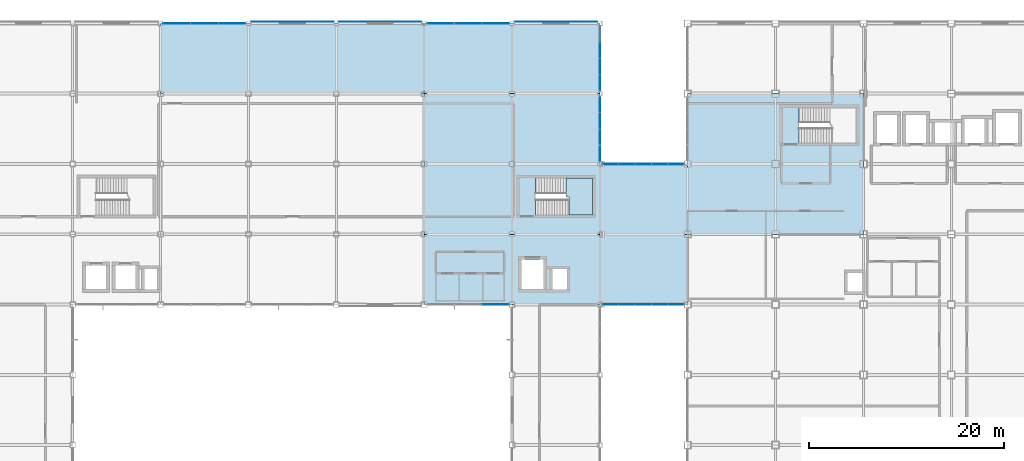
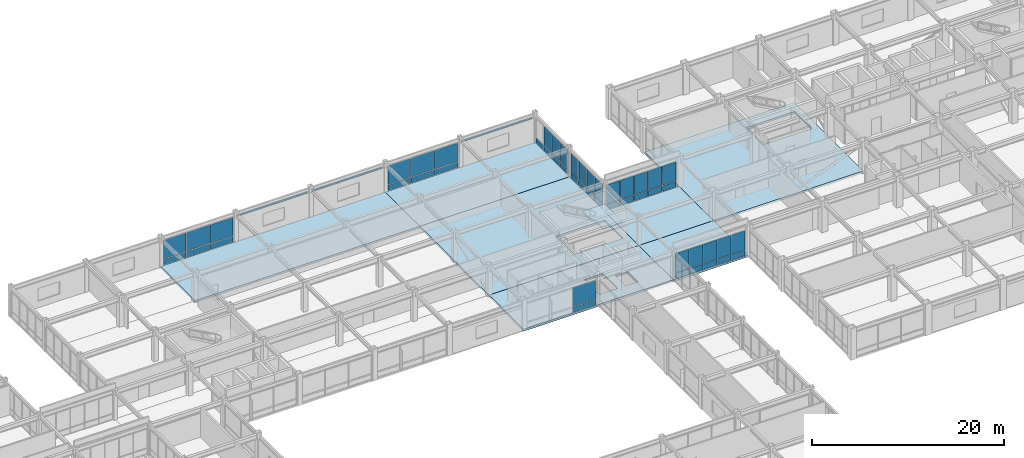
# One storey, part 96 of 122: 52 plates, 8 slabs, 8 elements without a shape of their own.
"""IFC4 building model written with IfcOpenShell, lengths in metres."""

from ifc_helpers import new_model, si_unit, direction, frame, origin, origin_2d, place, context, subcontext, project, spatial, polyline, rectangle, outline, extrude, material, layer, layer_set, type_object, element, aggregate, save


model = new_model("IFC4")

# Units and contexts
model_context = context("Model", 3, precision=1e-05, world=origin(), true_north=direction((0.0, 1.0)))
body_context = subcontext(model_context, "Body", "Model", "MODEL_VIEW")
ifc_project = project(units=[si_unit("LENGTHUNIT", "METRE"), si_unit("AREAUNIT", "SQUARE_METRE"), si_unit("VOLUMEUNIT", "CUBIC_METRE"), si_unit("PLANEANGLEUNIT", "RADIAN"), si_unit("MASSUNIT", "GRAM", prefix="KILO")], contexts=[model_context])

# Site, building, storey
site_placement = place(None, origin())
site = spatial("IfcSite", under=ifc_project, at=site_placement, CompositionType="ELEMENT")
building_placement = place(site_placement, origin())
building = spatial("IfcBuilding", under=site, at=building_placement, Name="Kazanami Central Library", CompositionType="ELEMENT")
storey_placement = place(building_placement, frame((0.0, 0.0, 4.800048828125)))
storey = spatial("IfcBuildingStorey", under=building, at=storey_placement, Name="L02", CompositionType="ELEMENT", Elevation=4.800048828125)

# Curtain wall, plate
ifc_material_1 = material(Name="Acid-Etched Low-E Laminated Glass", Category="glass")
curtain_wall_type_1 = type_object("IfcCurtainWallType", Name="CW-8450x3255-M275", PredefinedType="USERDEFINED", material=ifc_material_1)
curtain_wall_1_placement = place(storey_placement, origin())
curtain_wall_1 = element("IfcCurtainWall", 1, at=curtain_wall_1_placement, inside=storey, type_object=curtain_wall_type_1, Name="Unitised Curtain Wall CW-13 L02 S-K-10", ObjectType="UNITISED CURTAIN WALL", PredefinedType="USERDEFINED")
ifc_layer_1 = layer(ifc_material_1, 0.035888671875, Name="Acid-Etched Low-E Laminated Glass")
ifc_layer_set_1 = layer_set([ifc_layer_1], Name="Acid-Etched Low-E Laminated Glass")
plate_type_1 = type_object("IfcPlateType", Name="PLT-CW-P1", PredefinedType="CURTAIN_PANEL", material=ifc_layer_set_1)
plate_1_placement = place(storey_placement, frame((97.299072265625, 64.800048828125, 0.81494140625), z_axis=(0.0, 0.0, 1.0), x_axis=(1.0, 0.0, 0.0)))
plate_1 = element("IfcPlate", 2, at=plate_1_placement, type_object=plate_type_1, Name="CW-13 panel 3.2", PredefinedType="CURTAIN_PANEL", context=body_context, shape_type="SweptSolid", body=[
    extrude(rectangle(XDim=2.711669921875, YDim=0.035888671875, at=origin_2d()), origin(), (0.0, 0.0, 1.0), 2.3701171875),
])

# Curtain wall, plates
curtain_wall_type_2 = type_object("IfcCurtainWallType", Name="CW-8550x3255-M275", PredefinedType="USERDEFINED", material=ifc_material_1)
curtain_wall_2_placement = place(storey_placement, origin())
curtain_wall_2 = element("IfcCurtainWall", 3, at=curtain_wall_2_placement, inside=storey, type_object=curtain_wall_type_2, Name="Unitised Curtain Wall CW-19 L02 N-O-10", ObjectType="UNITISED CURTAIN WALL", PredefinedType="USERDEFINED")
plate_2_placement = place(storey_placement, frame((97.33251953125, 93.60009765625, 0.81494140625), z_axis=(0.0, 0.0, 1.0), x_axis=(-1.0, 0.0, 0.0)))
plate_2 = element("IfcPlate", 4, at=plate_2_placement, type_object=plate_type_1, Name="CW-19 panel 1.2", PredefinedType="CURTAIN_PANEL", context=body_context, shape_type="SweptSolid", body=[
    extrude(rectangle(XDim=2.7451171875, YDim=0.035888671875, at=origin_2d()), origin(), (0.0, 0.0, 1.0), 2.3701171875),
])
plate_3_placement = place(storey_placement, frame((94.5, 93.60009765625, 0.81494140625), z_axis=(0.0, 0.0, 1.0), x_axis=(-1.0, 0.0, 0.0)))
plate_3 = element("IfcPlate", 5, at=plate_3_placement, type_object=plate_type_1, Name="CW-19 panel 2.2", PredefinedType="CURTAIN_PANEL", context=body_context, shape_type="SweptSolid", body=[
    extrude(rectangle(XDim=2.780029296875, YDim=0.035888671875, at=origin_2d()), origin(), (0.0, 0.0, 1.0), 2.3701171875),
])
plate_4_placement = place(storey_placement, frame((91.66748046875, 93.60009765625, 0.81494140625), z_axis=(0.0, 0.0, 1.0), x_axis=(-1.0, 0.0, 0.0)))
plate_4 = element("IfcPlate", 6, at=plate_4_placement, type_object=plate_type_1, Name="CW-19 panel 3.2", PredefinedType="CURTAIN_PANEL", context=body_context, shape_type="SweptSolid", body=[
    extrude(rectangle(XDim=2.7451171875, YDim=0.035888671875, at=origin_2d()), origin(), (0.0, 0.0, 1.0), 2.3701171875),
])

curtain_wall_3_placement = place(storey_placement, origin())
curtain_wall_3 = element("IfcCurtainWall", 7, at=curtain_wall_3_placement, inside=storey, type_object=curtain_wall_type_2, Name="Unitised Curtain Wall CW-19 L02 N-O-07", ObjectType="UNITISED CURTAIN WALL", PredefinedType="USERDEFINED")
ifc_layer_2 = layer(ifc_material_1, 0.0439453125, Name="Acid-Etched Low-E Laminated Glass")
ifc_layer_set_2 = layer_set([ifc_layer_2], Name="Acid-Etched Low-E Laminated Glass")
plate_type_2 = type_object("IfcPlateType", Name="PLT-CW-P2", PredefinedType="CURTAIN_PANEL", material=ifc_layer_set_2)
plate_5_placement = place(storey_placement, frame((70.33251953125, 93.60009765625, 0.81494140625), z_axis=(0.0, 0.0, 1.0), x_axis=(-1.0, 0.0, 0.0)))
plate_5 = element("IfcPlate", 8, at=plate_5_placement, type_object=plate_type_2, Name="CW-19 panel 1.2", PredefinedType="CURTAIN_PANEL", context=body_context, shape_type="SweptSolid", body=[
    extrude(rectangle(XDim=2.7451171875, YDim=0.0439453125, at=origin_2d()), origin(), (0.0, 0.0, 1.0), 2.3701171875),
])
plate_6_placement = place(storey_placement, frame((67.5, 93.60009765625, 0.81494140625), z_axis=(0.0, 0.0, 1.0), x_axis=(-1.0, 0.0, 0.0)))
plate_6 = element("IfcPlate", 9, at=plate_6_placement, type_object=plate_type_2, Name="CW-19 panel 2.2", PredefinedType="CURTAIN_PANEL", context=body_context, shape_type="SweptSolid", body=[
    extrude(rectangle(XDim=2.780029296875, YDim=0.0439453125, at=origin_2d()), origin(), (0.0, 0.0, 1.0), 2.3701171875),
])
plate_7_placement = place(storey_placement, frame((64.66748046875, 93.60009765625, 0.81494140625), z_axis=(0.0, 0.0, 1.0), x_axis=(-1.0, 0.0, 0.0)))
plate_7 = element("IfcPlate", 10, at=plate_7_placement, type_object=plate_type_2, Name="CW-19 panel 3.2", PredefinedType="CURTAIN_PANEL", context=body_context, shape_type="SweptSolid", body=[
    extrude(rectangle(XDim=2.7451171875, YDim=0.0439453125, at=origin_2d()), origin(), (0.0, 0.0, 1.0), 2.3701171875),
])

curtain_wall_type_3 = type_object("IfcCurtainWallType", Name="CW-8425x3290-M180", PredefinedType="USERDEFINED", material=ifc_material_1)
curtain_wall_4_placement = place(storey_placement, origin())
curtain_wall_4 = element("IfcCurtainWall", 11, at=curtain_wall_4_placement, inside=storey, type_object=curtain_wall_type_3, Name="Covered Link Bridge Curtain Wall CW-18 L02 S-K-12", ObjectType="UNITISED CURTAIN WALL", PredefinedType="USERDEFINED")
ifc_material_2 = material(Name="Low-E Insulated Triple Glass", Category="glass")
ifc_layer_3 = layer(ifc_material_2, 0.0400390625, Name="Low-E Insulated Triple Glass")
ifc_layer_set_3 = layer_set([ifc_layer_3], Name="Low-E Insulated Triple Glass")
plate_type_3 = type_object("IfcPlateType", Name="PLT-CW-P3", PredefinedType="CURTAIN_PANEL", material=ifc_layer_set_3)
plate_8_placement = place(storey_placement, frame((109.08251953125, 64.800048828125, 0.81005859375), z_axis=(0.0, 0.0, 1.0), x_axis=(1.0, 0.0, 0.0)))
plate_8 = element("IfcPlate", 12, at=plate_8_placement, type_object=plate_type_3, Name="CW-18 panel 1.2", PredefinedType="CURTAIN_PANEL", context=body_context, shape_type="SweptSolid", body=[
    extrude(rectangle(XDim=1.594970703125, YDim=0.0400390625, at=origin_2d()), origin(), (0.0, 0.0, 1.0), 2.419921875),
])
plate_9_placement = place(storey_placement, frame((110.75244140625, 64.800048828125, 0.81005859375), z_axis=(0.0, 0.0, 1.0), x_axis=(1.0, 0.0, 0.0)))
plate_9 = element("IfcPlate", 13, at=plate_9_placement, type_object=plate_type_3, Name="CW-18 panel 2.2", PredefinedType="CURTAIN_PANEL", context=body_context, shape_type="SweptSolid", body=[
    extrude(rectangle(XDim=1.625, YDim=0.0400390625, at=origin_2d()), origin(), (0.0, 0.0, 1.0), 2.419921875),
])
plate_10_placement = place(storey_placement, frame((112.4375, 64.800048828125, 0.81005859375), z_axis=(0.0, 0.0, 1.0), x_axis=(1.0, 0.0, 0.0)))
plate_10 = element("IfcPlate", 14, at=plate_10_placement, type_object=plate_type_3, Name="CW-18 panel 3.2", PredefinedType="CURTAIN_PANEL", context=body_context, shape_type="SweptSolid", body=[
    extrude(rectangle(XDim=1.625, YDim=0.0400390625, at=origin_2d()), origin(), (0.0, 0.0, 1.0), 2.419921875),
])
plate_11_placement = place(storey_placement, frame((114.12255859375, 64.800048828125, 0.81005859375), z_axis=(0.0, 0.0, 1.0), x_axis=(1.0, 0.0, 0.0)))
plate_11 = element("IfcPlate", 15, at=plate_11_placement, type_object=plate_type_3, Name="CW-18 panel 4.2", PredefinedType="CURTAIN_PANEL", context=body_context, shape_type="SweptSolid", body=[
    extrude(rectangle(XDim=1.625, YDim=0.0400390625, at=origin_2d()), origin(), (0.0, 0.0, 1.0), 2.419921875),
])
plate_12_placement = place(storey_placement, frame((115.79248046875, 64.800048828125, 0.81005859375), z_axis=(0.0, 0.0, 1.0), x_axis=(1.0, 0.0, 0.0)))
plate_12 = element("IfcPlate", 16, at=plate_12_placement, type_object=plate_type_3, Name="CW-18 panel 5.2", PredefinedType="CURTAIN_PANEL", context=body_context, shape_type="SweptSolid", body=[
    extrude(rectangle(XDim=1.594970703125, YDim=0.0400390625, at=origin_2d()), origin(), (0.0, 0.0, 1.0), 2.419921875),
])

curtain_wall_5_placement = place(storey_placement, origin())
curtain_wall_5 = element("IfcCurtainWall", 17, at=curtain_wall_5_placement, inside=storey, type_object=curtain_wall_type_3, Name="Covered Link Bridge Curtain Wall CW-18 L02 N-M-12", ObjectType="UNITISED CURTAIN WALL", PredefinedType="USERDEFINED")
plate_13_placement = place(storey_placement, frame((115.79248046875, 79.199951171875, 0.81005859375), z_axis=(0.0, 0.0, 1.0), x_axis=(-1.0, 0.0, 0.0)))
plate_13 = element("IfcPlate", 18, at=plate_13_placement, type_object=plate_type_3, Name="CW-18 panel 1.2", PredefinedType="CURTAIN_PANEL", context=body_context, shape_type="SweptSolid", body=[
    extrude(rectangle(XDim=1.594970703125, YDim=0.0400390625, at=origin_2d()), origin(), (0.0, 0.0, 1.0), 2.419921875),
])
plate_14_placement = place(storey_placement, frame((114.12255859375, 79.199951171875, 0.81005859375), z_axis=(0.0, 0.0, 1.0), x_axis=(-1.0, 0.0, 0.0)))
plate_14 = element("IfcPlate", 19, at=plate_14_placement, type_object=plate_type_3, Name="CW-18 panel 2.2", PredefinedType="CURTAIN_PANEL", context=body_context, shape_type="SweptSolid", body=[
    extrude(rectangle(XDim=1.625, YDim=0.0400390625, at=origin_2d()), origin(), (0.0, 0.0, 1.0), 2.419921875),
])
plate_15_placement = place(storey_placement, frame((112.4375, 79.199951171875, 0.81005859375), z_axis=(0.0, 0.0, 1.0), x_axis=(-1.0, 0.0, 0.0)))
plate_15 = element("IfcPlate", 20, at=plate_15_placement, type_object=plate_type_3, Name="CW-18 panel 3.2", PredefinedType="CURTAIN_PANEL", context=body_context, shape_type="SweptSolid", body=[
    extrude(rectangle(XDim=1.625, YDim=0.0400390625, at=origin_2d()), origin(), (0.0, 0.0, 1.0), 2.419921875),
])
plate_16_placement = place(storey_placement, frame((110.75244140625, 79.199951171875, 0.81005859375), z_axis=(0.0, 0.0, 1.0), x_axis=(-1.0, 0.0, 0.0)))
plate_16 = element("IfcPlate", 21, at=plate_16_placement, type_object=plate_type_3, Name="CW-18 panel 4.2", PredefinedType="CURTAIN_PANEL", context=body_context, shape_type="SweptSolid", body=[
    extrude(rectangle(XDim=1.625, YDim=0.0400390625, at=origin_2d()), origin(), (0.0, 0.0, 1.0), 2.419921875),
])
plate_17_placement = place(storey_placement, frame((109.08251953125, 79.199951171875, 0.81005859375), z_axis=(0.0, 0.0, 1.0), x_axis=(-1.0, 0.0, 0.0)))
plate_17 = element("IfcPlate", 22, at=plate_17_placement, type_object=plate_type_3, Name="CW-18 panel 5.2", PredefinedType="CURTAIN_PANEL", context=body_context, shape_type="SweptSolid", body=[
    extrude(rectangle(XDim=1.594970703125, YDim=0.0400390625, at=origin_2d()), origin(), (0.0, 0.0, 1.0), 2.419921875),
])

curtain_wall_type_4 = type_object("IfcCurtainWallType", Name="CW-6750x3255-M180", PredefinedType="USERDEFINED", material=ifc_material_1)
curtain_wall_6_placement = place(storey_placement, origin())
curtain_wall_6 = element("IfcCurtainWall", 23, at=curtain_wall_6_placement, inside=storey, type_object=curtain_wall_type_4, Name="Covered Link Bridge Curtain Wall CW-21 L02 E-13-11", ObjectType="UNITISED CURTAIN WALL", PredefinedType="USERDEFINED")
plate_18_placement = place(storey_placement, frame((108.0, 85.313720703125, 0.81494140625), z_axis=(0.0, 0.0, 1.0), x_axis=(0.0, -1.0, 0.0)))
plate_18 = element("IfcPlate", 24, at=plate_18_placement, type_object=plate_type_3, Name="CW-21 panel 1.2", PredefinedType="CURTAIN_PANEL", context=body_context, shape_type="SweptSolid", body=[
    extrude(rectangle(XDim=1.58251953125, YDim=0.0400390625, at=origin_2d()), origin(), (0.0, 0.0, 1.0), 2.3701171875),
])
plate_19_placement = place(storey_placement, frame((108.0, 83.643798828125, 0.81494140625), z_axis=(0.0, 0.0, 1.0), x_axis=(0.0, -1.0, 0.0)))
plate_19 = element("IfcPlate", 25, at=plate_19_placement, type_object=plate_type_3, Name="CW-21 panel 2.2", PredefinedType="CURTAIN_PANEL", context=body_context, shape_type="SweptSolid", body=[
    extrude(rectangle(XDim=1.617431640625, YDim=0.0400390625, at=origin_2d()), origin(), (0.0, 0.0, 1.0), 2.3701171875),
])
plate_20_placement = place(storey_placement, frame((108.0, 81.956298828125, 0.81494140625), z_axis=(0.0, 0.0, 1.0), x_axis=(0.0, -1.0, 0.0)))
plate_20 = element("IfcPlate", 26, at=plate_20_placement, type_object=plate_type_3, Name="CW-21 panel 3.2", PredefinedType="CURTAIN_PANEL", context=body_context, shape_type="SweptSolid", body=[
    extrude(rectangle(XDim=1.617431640625, YDim=0.0400390625, at=origin_2d()), origin(), (0.0, 0.0, 1.0), 2.3701171875),
])
plate_21_placement = place(storey_placement, frame((108.0, 80.2861328125, 0.81494140625), z_axis=(0.0, 0.0, 1.0), x_axis=(0.0, -1.0, 0.0)))
plate_21 = element("IfcPlate", 27, at=plate_21_placement, type_object=plate_type_3, Name="CW-21 panel 4.2", PredefinedType="CURTAIN_PANEL", context=body_context, shape_type="SweptSolid", body=[
    extrude(rectangle(XDim=1.58251953125, YDim=0.0400390625, at=origin_2d()), origin(), (0.0, 0.0, 1.0), 2.3701171875),
])

curtain_wall_7_placement = place(storey_placement, origin())
curtain_wall_7 = element("IfcCurtainWall", 28, at=curtain_wall_7_placement, inside=storey, type_object=curtain_wall_type_4, Name="Covered Link Bridge Curtain Wall CW-21 L02 E-13-12", ObjectType="UNITISED CURTAIN WALL", PredefinedType="USERDEFINED")
plate_22_placement = place(storey_placement, frame((108.0, 90.84375, 0.81494140625), z_axis=(0.0, 0.0, 1.0), x_axis=(0.0, -1.0, 0.0)))
plate_22 = element("IfcPlate", 29, at=plate_22_placement, type_object=plate_type_3, Name="CW-21 panel 2.2", PredefinedType="CURTAIN_PANEL", context=body_context, shape_type="SweptSolid", body=[
    extrude(rectangle(XDim=1.617431640625, YDim=0.0400390625, at=origin_2d()), origin(), (0.0, 0.0, 1.0), 2.3701171875),
])
plate_23_placement = place(storey_placement, frame((108.0, 89.15625, 0.81494140625), z_axis=(0.0, 0.0, 1.0), x_axis=(0.0, -1.0, 0.0)))
plate_23 = element("IfcPlate", 30, at=plate_23_placement, type_object=plate_type_3, Name="CW-21 panel 3.2", PredefinedType="CURTAIN_PANEL", context=body_context, shape_type="SweptSolid", body=[
    extrude(rectangle(XDim=1.617431640625, YDim=0.0400390625, at=origin_2d()), origin(), (0.0, 0.0, 1.0), 2.3701171875),
])
plate_24_placement = place(storey_placement, frame((108.0, 87.486328125, 0.81494140625), z_axis=(0.0, 0.0, 1.0), x_axis=(0.0, -1.0, 0.0)))
plate_24 = element("IfcPlate", 31, at=plate_24_placement, type_object=plate_type_3, Name="CW-21 panel 4.2", PredefinedType="CURTAIN_PANEL", context=body_context, shape_type="SweptSolid", body=[
    extrude(rectangle(XDim=1.58251953125, YDim=0.0400390625, at=origin_2d()), origin(), (0.0, 0.0, 1.0), 2.3701171875),
])

# Plate
ifc_material_3 = material(Name="Anodised Aluminium A5052-H32", Category="aluminium")
ifc_layer_4 = layer(ifc_material_3, 0.06005859375, Name="Anodised Aluminium A5052-H32")
ifc_layer_set_4 = layer_set([ifc_layer_4], Name="Anodised Aluminium A5052-H32")
plate_type_4 = type_object("IfcPlateType", Name="PLT-CW-SP1", PredefinedType="CURTAIN_PANEL", material=ifc_layer_set_4)
plate_25_placement = place(storey_placement, frame((97.299072265625, 64.800048828125, 0.06982421875), z_axis=(0.0, 0.0, 1.0), x_axis=(1.0, 0.0, 0.0)))
plate_25 = element("IfcPlate", 32, at=plate_25_placement, type_object=plate_type_4, Name="CW-13 panel 3.1", PredefinedType="CURTAIN_PANEL", context=body_context, shape_type="SweptSolid", body=[
    extrude(rectangle(XDim=2.711669921875, YDim=0.06005859375, at=origin_2d()), origin(), (0.0, 0.0, 1.0), 0.675048828125),
])

aggregate(curtain_wall_1, [plate_25, plate_1])

plate_26_placement = place(storey_placement, frame((70.33251953125, 93.60009765625, 0.06982421875), z_axis=(0.0, 0.0, 1.0), x_axis=(-1.0, 0.0, 0.0)))
plate_26 = element("IfcPlate", 33, at=plate_26_placement, type_object=plate_type_4, Name="CW-19 panel 1.1", PredefinedType="CURTAIN_PANEL", context=body_context, shape_type="SweptSolid", body=[
    extrude(rectangle(XDim=2.7451171875, YDim=0.06005859375, at=origin_2d()), origin(), (0.0, 0.0, 1.0), 0.675048828125),
])

plate_27_placement = place(storey_placement, frame((67.5, 93.60009765625, 0.06982421875), z_axis=(0.0, 0.0, 1.0), x_axis=(-1.0, 0.0, 0.0)))
plate_27 = element("IfcPlate", 34, at=plate_27_placement, type_object=plate_type_4, Name="CW-19 panel 2.1", PredefinedType="CURTAIN_PANEL", context=body_context, shape_type="SweptSolid", body=[
    extrude(rectangle(XDim=2.780029296875, YDim=0.06005859375, at=origin_2d()), origin(), (0.0, 0.0, 1.0), 0.675048828125),
])

plate_28_placement = place(storey_placement, frame((64.66748046875, 93.60009765625, 0.06982421875), z_axis=(0.0, 0.0, 1.0), x_axis=(-1.0, 0.0, 0.0)))
plate_28 = element("IfcPlate", 35, at=plate_28_placement, type_object=plate_type_4, Name="CW-19 panel 3.1", PredefinedType="CURTAIN_PANEL", context=body_context, shape_type="SweptSolid", body=[
    extrude(rectangle(XDim=2.7451171875, YDim=0.06005859375, at=origin_2d()), origin(), (0.0, 0.0, 1.0), 0.675048828125),
])

aggregate(curtain_wall_3, [plate_26, plate_5, plate_27, plate_6, plate_28, plate_7])

plate_29_placement = place(storey_placement, frame((97.33251953125, 93.60009765625, 0.06982421875), z_axis=(0.0, 0.0, 1.0), x_axis=(-1.0, 0.0, 0.0)))
plate_29 = element("IfcPlate", 36, at=plate_29_placement, type_object=plate_type_4, Name="CW-19 panel 1.1", PredefinedType="CURTAIN_PANEL", context=body_context, shape_type="SweptSolid", body=[
    extrude(rectangle(XDim=2.7451171875, YDim=0.06005859375, at=origin_2d()), origin(), (0.0, 0.0, 1.0), 0.675048828125),
])

plate_30_placement = place(storey_placement, frame((94.5, 93.60009765625, 0.06982421875), z_axis=(0.0, 0.0, 1.0), x_axis=(-1.0, 0.0, 0.0)))
plate_30 = element("IfcPlate", 37, at=plate_30_placement, type_object=plate_type_4, Name="CW-19 panel 2.1", PredefinedType="CURTAIN_PANEL", context=body_context, shape_type="SweptSolid", body=[
    extrude(rectangle(XDim=2.780029296875, YDim=0.06005859375, at=origin_2d()), origin(), (0.0, 0.0, 1.0), 0.675048828125),
])

plate_31_placement = place(storey_placement, frame((91.66748046875, 93.60009765625, 0.06982421875), z_axis=(0.0, 0.0, 1.0), x_axis=(-1.0, 0.0, 0.0)))
plate_31 = element("IfcPlate", 38, at=plate_31_placement, type_object=plate_type_4, Name="CW-19 panel 3.1", PredefinedType="CURTAIN_PANEL", context=body_context, shape_type="SweptSolid", body=[
    extrude(rectangle(XDim=2.7451171875, YDim=0.06005859375, at=origin_2d()), origin(), (0.0, 0.0, 1.0), 0.675048828125),
])

aggregate(curtain_wall_2, [plate_29, plate_2, plate_30, plate_3, plate_31, plate_4])

plate_32_placement = place(storey_placement, frame((108.0, 85.313720703125, 0.06982421875), z_axis=(0.0, 0.0, 1.0), x_axis=(0.0, -1.0, 0.0)))
plate_32 = element("IfcPlate", 39, at=plate_32_placement, type_object=plate_type_4, Name="CW-21 panel 1.1", PredefinedType="CURTAIN_PANEL", context=body_context, shape_type="SweptSolid", body=[
    extrude(rectangle(XDim=1.58251953125, YDim=0.06005859375, at=origin_2d()), origin(), (0.0, 0.0, 1.0), 0.675048828125),
])

plate_33_placement = place(storey_placement, frame((108.0, 83.643798828125, 0.06982421875), z_axis=(0.0, 0.0, 1.0), x_axis=(0.0, -1.0, 0.0)))
plate_33 = element("IfcPlate", 40, at=plate_33_placement, type_object=plate_type_4, Name="CW-21 panel 2.1", PredefinedType="CURTAIN_PANEL", context=body_context, shape_type="SweptSolid", body=[
    extrude(rectangle(XDim=1.617431640625, YDim=0.06005859375, at=origin_2d()), origin(), (0.0, 0.0, 1.0), 0.675048828125),
])

plate_34_placement = place(storey_placement, frame((108.0, 81.956298828125, 0.06982421875), z_axis=(0.0, 0.0, 1.0), x_axis=(0.0, -1.0, 0.0)))
plate_34 = element("IfcPlate", 41, at=plate_34_placement, type_object=plate_type_4, Name="CW-21 panel 3.1", PredefinedType="CURTAIN_PANEL", context=body_context, shape_type="SweptSolid", body=[
    extrude(rectangle(XDim=1.617431640625, YDim=0.06005859375, at=origin_2d()), origin(), (0.0, 0.0, 1.0), 0.675048828125),
])

plate_35_placement = place(storey_placement, frame((108.0, 80.2861328125, 0.06982421875), z_axis=(0.0, 0.0, 1.0), x_axis=(0.0, -1.0, 0.0)))
plate_35 = element("IfcPlate", 42, at=plate_35_placement, type_object=plate_type_4, Name="CW-21 panel 4.1", PredefinedType="CURTAIN_PANEL", context=body_context, shape_type="SweptSolid", body=[
    extrude(rectangle(XDim=1.58251953125, YDim=0.06005859375, at=origin_2d()), origin(), (0.0, 0.0, 1.0), 0.675048828125),
])

aggregate(curtain_wall_6, [plate_32, plate_18, plate_33, plate_19, plate_34, plate_20, plate_35, plate_21])

plate_36_placement = place(storey_placement, frame((108.0, 92.513671875, 0.06982421875), z_axis=(0.0, 0.0, 1.0), x_axis=(0.0, -1.0, 0.0)))
plate_36 = element("IfcPlate", 43, at=plate_36_placement, type_object=plate_type_4, Name="CW-21 panel 1.1", PredefinedType="CURTAIN_PANEL", context=body_context, shape_type="SweptSolid", body=[
    extrude(rectangle(XDim=1.58251953125, YDim=0.06005859375, at=origin_2d()), origin(), (0.0, 0.0, 1.0), 0.675048828125),
])

plate_37_placement = place(storey_placement, frame((108.0, 90.84375, 0.06982421875), z_axis=(0.0, 0.0, 1.0), x_axis=(0.0, -1.0, 0.0)))
plate_37 = element("IfcPlate", 44, at=plate_37_placement, type_object=plate_type_4, Name="CW-21 panel 2.1", PredefinedType="CURTAIN_PANEL", context=body_context, shape_type="SweptSolid", body=[
    extrude(rectangle(XDim=1.617431640625, YDim=0.06005859375, at=origin_2d()), origin(), (0.0, 0.0, 1.0), 0.675048828125),
])

plate_38_placement = place(storey_placement, frame((108.0, 89.15625, 0.06982421875), z_axis=(0.0, 0.0, 1.0), x_axis=(0.0, -1.0, 0.0)))
plate_38 = element("IfcPlate", 45, at=plate_38_placement, type_object=plate_type_4, Name="CW-21 panel 3.1", PredefinedType="CURTAIN_PANEL", context=body_context, shape_type="SweptSolid", body=[
    extrude(rectangle(XDim=1.617431640625, YDim=0.06005859375, at=origin_2d()), origin(), (0.0, 0.0, 1.0), 0.675048828125),
])

plate_39_placement = place(storey_placement, frame((108.0, 87.486328125, 0.06982421875), z_axis=(0.0, 0.0, 1.0), x_axis=(0.0, -1.0, 0.0)))
plate_39 = element("IfcPlate", 46, at=plate_39_placement, type_object=plate_type_4, Name="CW-21 panel 4.1", PredefinedType="CURTAIN_PANEL", context=body_context, shape_type="SweptSolid", body=[
    extrude(rectangle(XDim=1.58251953125, YDim=0.06005859375, at=origin_2d()), origin(), (0.0, 0.0, 1.0), 0.675048828125),
])

aggregate(curtain_wall_7, [plate_36, plate_37, plate_22, plate_38, plate_23, plate_39, plate_24])

ifc_layer_5 = layer(ifc_material_3, 0.052001953125, Name="Anodised Aluminium A5052-H32")
ifc_layer_set_5 = layer_set([ifc_layer_5], Name="Anodised Aluminium A5052-H32")
plate_type_5 = type_object("IfcPlateType", Name="PLT-CW-SP2", PredefinedType="CURTAIN_PANEL", material=ifc_layer_set_5)
plate_40_placement = place(storey_placement, frame((109.08251953125, 64.800048828125, 0.06005859375), z_axis=(0.0, 0.0, 1.0), x_axis=(1.0, 0.0, 0.0)))
plate_40 = element("IfcPlate", 47, at=plate_40_placement, type_object=plate_type_5, Name="CW-18 panel 1.1", PredefinedType="CURTAIN_PANEL", context=body_context, shape_type="SweptSolid", body=[
    extrude(rectangle(XDim=1.594970703125, YDim=0.052001953125, at=origin_2d()), origin(), (0.0, 0.0, 1.0), 0.68994140625),
])

plate_41_placement = place(storey_placement, frame((110.75244140625, 64.800048828125, 0.06005859375), z_axis=(0.0, 0.0, 1.0), x_axis=(1.0, 0.0, 0.0)))
plate_41 = element("IfcPlate", 48, at=plate_41_placement, type_object=plate_type_5, Name="CW-18 panel 2.1", PredefinedType="CURTAIN_PANEL", context=body_context, shape_type="SweptSolid", body=[
    extrude(rectangle(XDim=1.625, YDim=0.052001953125, at=origin_2d()), origin(), (0.0, 0.0, 1.0), 0.68994140625),
])

plate_42_placement = place(storey_placement, frame((112.4375, 64.800048828125, 0.06005859375), z_axis=(0.0, 0.0, 1.0), x_axis=(1.0, 0.0, 0.0)))
plate_42 = element("IfcPlate", 49, at=plate_42_placement, type_object=plate_type_5, Name="CW-18 panel 3.1", PredefinedType="CURTAIN_PANEL", context=body_context, shape_type="SweptSolid", body=[
    extrude(rectangle(XDim=1.625, YDim=0.052001953125, at=origin_2d()), origin(), (0.0, 0.0, 1.0), 0.68994140625),
])

plate_43_placement = place(storey_placement, frame((114.12255859375, 64.800048828125, 0.06005859375), z_axis=(0.0, 0.0, 1.0), x_axis=(1.0, 0.0, 0.0)))
plate_43 = element("IfcPlate", 50, at=plate_43_placement, type_object=plate_type_5, Name="CW-18 panel 4.1", PredefinedType="CURTAIN_PANEL", context=body_context, shape_type="SweptSolid", body=[
    extrude(rectangle(XDim=1.625, YDim=0.052001953125, at=origin_2d()), origin(), (0.0, 0.0, 1.0), 0.68994140625),
])

plate_44_placement = place(storey_placement, frame((115.79248046875, 64.800048828125, 0.06005859375), z_axis=(0.0, 0.0, 1.0), x_axis=(1.0, 0.0, 0.0)))
plate_44 = element("IfcPlate", 51, at=plate_44_placement, type_object=plate_type_5, Name="CW-18 panel 5.1", PredefinedType="CURTAIN_PANEL", context=body_context, shape_type="SweptSolid", body=[
    extrude(rectangle(XDim=1.594970703125, YDim=0.052001953125, at=origin_2d()), origin(), (0.0, 0.0, 1.0), 0.68994140625),
])

aggregate(curtain_wall_4, [plate_40, plate_8, plate_41, plate_9, plate_42, plate_10, plate_43, plate_11, plate_44, plate_12])

plate_45_placement = place(storey_placement, frame((115.79248046875, 79.199951171875, 0.06005859375), z_axis=(0.0, 0.0, 1.0), x_axis=(-1.0, 0.0, 0.0)))
plate_45 = element("IfcPlate", 52, at=plate_45_placement, type_object=plate_type_5, Name="CW-18 panel 1.1", PredefinedType="CURTAIN_PANEL", context=body_context, shape_type="SweptSolid", body=[
    extrude(rectangle(XDim=1.594970703125, YDim=0.052001953125, at=origin_2d()), origin(), (0.0, 0.0, 1.0), 0.68994140625),
])

plate_46_placement = place(storey_placement, frame((114.12255859375, 79.199951171875, 0.06005859375), z_axis=(0.0, 0.0, 1.0), x_axis=(-1.0, 0.0, 0.0)))
plate_46 = element("IfcPlate", 53, at=plate_46_placement, type_object=plate_type_5, Name="CW-18 panel 2.1", PredefinedType="CURTAIN_PANEL", context=body_context, shape_type="SweptSolid", body=[
    extrude(rectangle(XDim=1.625, YDim=0.052001953125, at=origin_2d()), origin(), (0.0, 0.0, 1.0), 0.68994140625),
])

plate_47_placement = place(storey_placement, frame((112.4375, 79.199951171875, 0.06005859375), z_axis=(0.0, 0.0, 1.0), x_axis=(-1.0, 0.0, 0.0)))
plate_47 = element("IfcPlate", 54, at=plate_47_placement, type_object=plate_type_5, Name="CW-18 panel 3.1", PredefinedType="CURTAIN_PANEL", context=body_context, shape_type="SweptSolid", body=[
    extrude(rectangle(XDim=1.625, YDim=0.052001953125, at=origin_2d()), origin(), (0.0, 0.0, 1.0), 0.68994140625),
])

plate_48_placement = place(storey_placement, frame((110.75244140625, 79.199951171875, 0.06005859375), z_axis=(0.0, 0.0, 1.0), x_axis=(-1.0, 0.0, 0.0)))
plate_48 = element("IfcPlate", 55, at=plate_48_placement, type_object=plate_type_5, Name="CW-18 panel 4.1", PredefinedType="CURTAIN_PANEL", context=body_context, shape_type="SweptSolid", body=[
    extrude(rectangle(XDim=1.625, YDim=0.052001953125, at=origin_2d()), origin(), (0.0, 0.0, 1.0), 0.68994140625),
])

plate_49_placement = place(storey_placement, frame((109.08251953125, 79.199951171875, 0.06005859375), z_axis=(0.0, 0.0, 1.0), x_axis=(-1.0, 0.0, 0.0)))
plate_49 = element("IfcPlate", 56, at=plate_49_placement, type_object=plate_type_5, Name="CW-18 panel 5.1", PredefinedType="CURTAIN_PANEL", context=body_context, shape_type="SweptSolid", body=[
    extrude(rectangle(XDim=1.594970703125, YDim=0.052001953125, at=origin_2d()), origin(), (0.0, 0.0, 1.0), 0.68994140625),
])

aggregate(curtain_wall_5, [plate_45, plate_13, plate_46, plate_14, plate_47, plate_15, plate_48, plate_16, plate_49, plate_17])

# Plates
ifc_layer_6 = layer(ifc_material_3, 0.011962890625, Name="Anodised Aluminium A5052-H32")
ifc_layer_set_6 = layer_set([ifc_layer_6], Name="Anodised Aluminium A5052-H32")
plate_type_6 = type_object("IfcPlateType", Name="PLT-SPN-12", PredefinedType="SHEET", material=ifc_layer_set_6)
plate_50_placement = place(storey_placement, frame((103.5, 93.76611328125, 2.94482421875), z_axis=(0.0, 0.0, 1.0), x_axis=(-1.0, 0.0, 0.0)))
element("IfcPlate", 57, at=plate_50_placement, inside=storey, type_object=plate_type_6, Name="Architectural Spandrel Sheet SPN-12 L02 N-O-11", PredefinedType="SHEET", context=body_context, shape_type="SweptSolid", body=[
    extrude(rectangle(XDim=8.449951171875, YDim=0.011962890625, at=origin_2d()), origin(), (0.0, 0.0, 1.0), 0.300048828125),
])
ifc_layer_7 = layer(ifc_material_3, 0.01806640625, Name="Anodised Aluminium A5052-H32")
ifc_layer_set_7 = layer_set([ifc_layer_7], Name="Anodised Aluminium A5052-H32")
plate_type_7 = type_object("IfcPlateType", Name="PLT-SPN-18", PredefinedType="SHEET", material=ifc_layer_set_7)
plate_51_placement = place(storey_placement, frame((76.5, 93.76904296875, 2.94482421875), z_axis=(0.0, 0.0, 1.0), x_axis=(-1.0, 0.0, 0.0)))
element("IfcPlate", 58, at=plate_51_placement, inside=storey, type_object=plate_type_7, Name="Architectural Spandrel Sheet SPN-18 L02 N-O-08", PredefinedType="SHEET", context=body_context, shape_type="SweptSolid", body=[
    extrude(rectangle(XDim=8.449951171875, YDim=0.01806640625, at=origin_2d()), origin(), (0.0, 0.0, 1.0), 0.300048828125),
])
ifc_layer_8 = layer(ifc_material_3, 0.02001953125, Name="Anodised Aluminium A5052-H32")
ifc_layer_set_8 = layer_set([ifc_layer_8], Name="Anodised Aluminium A5052-H32")
plate_type_8 = type_object("IfcPlateType", Name="PLT-SPN-20", PredefinedType="SHEET", material=ifc_layer_set_8)
plate_52_placement = place(storey_placement, frame((85.5, 93.77001953125, 2.94482421875), z_axis=(0.0, 0.0, 1.0), x_axis=(-1.0, 0.0, 0.0)))
element("IfcPlate", 59, at=plate_52_placement, inside=storey, type_object=plate_type_8, Name="Architectural Spandrel Sheet SPN-20 L02 N-O-09", PredefinedType="SHEET", context=body_context, shape_type="SweptSolid", body=[
    extrude(rectangle(XDim=8.449951171875, YDim=0.02001953125, at=origin_2d()), origin(), (0.0, 0.0, 1.0), 0.300048828125),
])

# Slabs
ifc_material_4 = material(Name="Concrete Fc36 (36 MPa)", Category="concrete")
ifc_layer_9 = layer(ifc_material_4, 0.2451171875, Name="Concrete Fc36 (36 MPa)")
ifc_layer_set_9 = layer_set([ifc_layer_9], Name="Concrete Fc36 (36 MPa)")
slab_type_1 = type_object("IfcSlabType", Name="SLB-FLR-245", PredefinedType="FLOOR", material=ifc_layer_set_9)
slab_1_placement = place(storey_placement, frame((0.0, 0.0, -0.2451171875)))
element("IfcSlab", 60, at=slab_1_placement, inside=storey, type_object=slab_type_1, Name="Composite Floor Slab L02 V1-NORTH Zone 25", PredefinedType="FLOOR", context=body_context, shape_type="SweptSolid", body=[
    extrude(outline(polyline([(63.0, 86.39990234375), (90.0, 86.39990234375), (90.0, 93.60009765625), (63.0, 93.60009765625), (63.0, 86.39990234375)])), origin(), (0.0, 0.0, 1.0), 0.2451171875),
])
slab_2_placement = place(storey_placement, frame((0.0, 0.0, -0.2451171875)))
element("IfcSlab", 61, at=slab_2_placement, inside=storey, type_object=slab_type_1, Name="Composite Floor Slab L02 V1-NORTH Zone 26", PredefinedType="FLOOR", context=body_context, shape_type="SweptSolid", body=[
    extrude(outline(polyline([(90.0, 64.800048828125), (108.0, 64.800048828125), (108.0, 72.0), (90.0, 72.0), (90.0, 64.800048828125)]), holes=[polyline([(99.97509765625, 66.375), (102.22509765625, 66.375), (102.22509765625, 69.425048828125), (99.97509765625, 69.425048828125), (99.97509765625, 66.375)]), polyline([(103.14990234375, 66.35009765625), (104.64990234375, 66.35009765625), (104.64990234375, 68.449951171875), (103.14990234375, 68.449951171875), (103.14990234375, 66.35009765625)])]), origin(), (0.0, 0.0, 1.0), 0.2451171875),
])
slab_3_placement = place(storey_placement, frame((0.0, 0.0, -0.2451171875)))
element("IfcSlab", 62, at=slab_3_placement, inside=storey, type_object=slab_type_1, Name="Composite Floor Slab L02 V1-NORTH Zone 27", PredefinedType="FLOOR", context=body_context, shape_type="SweptSolid", body=[
    extrude(outline(polyline([(90.0, 72.0), (108.0, 72.0), (108.0, 86.39990234375), (90.0, 86.39990234375), (90.0, 72.0)]), holes=[polyline([(101.39990234375, 73.949951171875), (107.25, 73.949951171875), (107.25, 77.75), (101.39990234375, 77.75), (101.39990234375, 73.949951171875)])]), origin(), (0.0, 0.0, 1.0), 0.2451171875),
])
slab_4_placement = place(storey_placement, frame((0.0, 0.0, -0.2451171875)))
element("IfcSlab", 63, at=slab_4_placement, inside=storey, type_object=slab_type_1, Name="Composite Floor Slab L02 V1-NORTH Zone 28", PredefinedType="FLOOR", context=body_context, shape_type="SweptSolid", body=[
    extrude(outline(polyline([(90.0, 86.39990234375), (108.0, 86.39990234375), (108.0, 93.60009765625), (90.0, 93.60009765625), (90.0, 86.39990234375)])), origin(), (0.0, 0.0, 1.0), 0.2451171875),
])
slab_5_placement = place(storey_placement, frame((0.0, 0.0, -0.2451171875)))
element("IfcSlab", 64, at=slab_5_placement, inside=storey, type_object=slab_type_1, Name="Covered Seismic-Joint Link Bridge Slab L02 BRG-EAST", PredefinedType="FLOOR", context=body_context, shape_type="SweptSolid", body=[
    extrude(outline(polyline([(108.0, 64.800048828125), (117.0, 64.800048828125), (117.0, 72.0), (108.0, 72.0), (108.0, 64.800048828125)])), origin(), (0.0, 0.0, 1.0), 0.2451171875),
])
slab_6_placement = place(storey_placement, frame((0.0, 0.0, -0.2451171875)))
element("IfcSlab", 65, at=slab_6_placement, inside=storey, type_object=slab_type_1, Name="Covered Seismic-Joint Link Bridge Slab L02 BRG-EAST", PredefinedType="FLOOR", context=body_context, shape_type="SweptSolid", body=[
    extrude(outline(polyline([(108.0, 72.0), (117.0, 72.0), (117.0, 79.199951171875), (108.0, 79.199951171875), (108.0, 72.0)])), origin(), (0.0, 0.0, 1.0), 0.2451171875),
])
slab_7_placement = place(storey_placement, frame((0.0, 0.0, -0.2451171875)))
element("IfcSlab", 66, at=slab_7_placement, inside=storey, type_object=slab_type_1, Name="Composite Floor Slab L02 V2-MAIN Zone 33", PredefinedType="FLOOR", context=body_context, shape_type="SweptSolid", body=[
    extrude(outline(polyline([(117.0, 72.0), (135.0, 72.0), (135.0, 86.39990234375), (117.0, 86.39990234375), (117.0, 72.0)]), holes=[polyline([(128.39990234375, 81.375), (134.22509765625, 81.375), (134.22509765625, 84.925048828125), (128.39990234375, 84.925048828125), (128.39990234375, 81.375)])]), origin(), (0.0, 0.0, 1.0), 0.2451171875),
])

# Stair, slab
stair_type = type_object("IfcStairType", Name="STR-P40", PredefinedType="HALF_TURN_STAIR", material=ifc_material_4)
stair_placement = place(storey_placement, origin())
stair = element("IfcStair", 67, at=stair_placement, inside=storey, type_object=stair_type, Name="Enclosed Escape Stair ST-04 (L02)", PredefinedType="HALF_TURN_STAIR")
ifc_layer_10 = layer(ifc_material_4, 0.179931640625, Name="Concrete Fc36 (36 MPa)")
ifc_layer_set_10 = layer_set([ifc_layer_10], Name="Concrete Fc36 (36 MPa)")
slab_type_2 = type_object("IfcSlabType", Name="SLB-LND-180", PredefinedType="LANDING", material=ifc_layer_set_10)
slab_8_placement = place(storey_placement, frame((0.0, 0.0, 1.89990234375)))
slab_8 = element("IfcSlab", 68, at=slab_8_placement, type_object=slab_type_2, Name="ST-04 landing 1", PredefinedType="LANDING", context=body_context, shape_type="SweptSolid", body=[
    extrude(outline(polyline([(104.827880859375, 73.949951171875), (107.25, 73.949951171875), (107.25, 77.75), (104.548095703125, 77.75), (104.548095703125, 75.85009765625), (104.827880859375, 75.85009765625), (104.827880859375, 73.949951171875)])), origin(), (0.0, 0.0, 1.0), 0.179931640625),
])
aggregate(stair, [slab_8])

save(model, "model.ifc")
